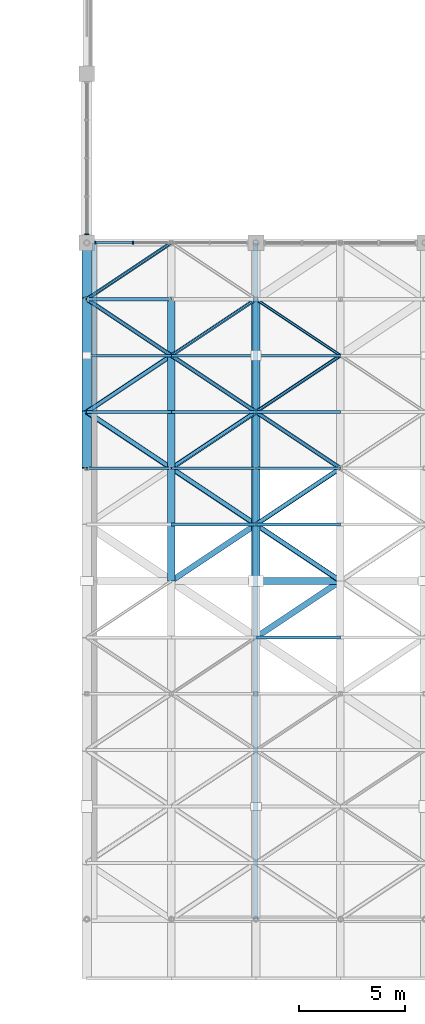
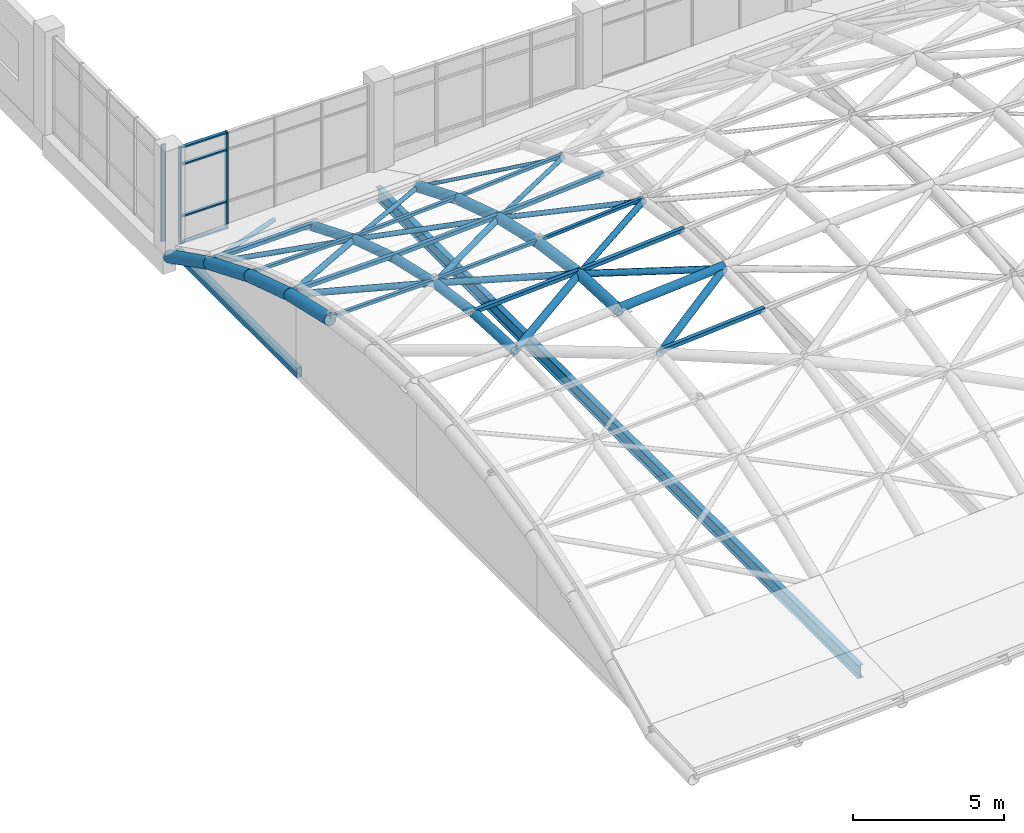
# One storey, part 12 of 72: 36 members, 16 beams, 2 elements without a shape of their own.
"""IFC4 building model written with IfcOpenShell, lengths in metres."""

from ifc_helpers import new_model, si_unit, direction, frame, origin, origin_2d, place, context, subcontext, project, spatial, rectangle, hollow_rectangle, hollow_circle, i_section, extrude, material, material_profile, profile_set, type_object, element, aggregate, save


model = new_model("IFC4")

# Units and contexts
model_context = context("Model", 3, precision=1e-05, world=origin(), true_north=direction((0.0, 1.0)))
body_context = subcontext(model_context, "Body", "Model", "MODEL_VIEW")
ifc_project = project(units=[si_unit("LENGTHUNIT", "METRE"), si_unit("AREAUNIT", "SQUARE_METRE"), si_unit("VOLUMEUNIT", "CUBIC_METRE"), si_unit("PLANEANGLEUNIT", "RADIAN"), si_unit("MASSUNIT", "GRAM", prefix="KILO")], contexts=[model_context])

# Site, building, storey
site_placement = place(None, origin())
site = spatial("IfcSite", under=ifc_project, at=site_placement, CompositionType="ELEMENT")
building_placement = place(site_placement, origin())
building = spatial("IfcBuilding", under=site, at=building_placement, Name="Tenunan Teduh Sports Hall", CompositionType="ELEMENT")
storey_placement = place(building_placement, frame((0.0, 0.0, 15.0)))
storey = spatial("IfcBuildingStorey", under=building, at=storey_placement, Name="L03", CompositionType="ELEMENT", Elevation=15.0)

# Curtain wall, members
ifc_material_1 = material(Name="Anodised aluminium", Category="aluminium")
curtain_wall_type_1 = type_object("IfcCurtainWallType", Name="CW-CLER-1", PredefinedType="NOTDEFINED", material=ifc_material_1)
curtain_wall_1_placement = place(storey_placement, origin())
curtain_wall_1 = element("IfcCurtainWall", 1, at=curtain_wall_1_placement, inside=storey, type_object=curtain_wall_type_1, Name="CW-CWM-150-L03-139", PredefinedType="NOTDEFINED")
ifc_material_2 = material(Name="Anodised aluminium", Category="aluminium")
ifc_material_profile_1 = material_profile(ifc_material_2, rectangle(XDim=0.06005859375, YDim=0.14990234375, at=origin_2d()), Name="CWM 60x150")
ifc_profile_set_1 = profile_set([ifc_material_profile_1], Name="Anodised aluminium")
member_type_1 = type_object("IfcMemberType", Name="CWM-150", PredefinedType="MULLION", material=ifc_profile_set_1)
member_1_placement = place(storey_placement, frame((122.405029296875, 46.0, 0.0), z_axis=(0.0, 0.0, 1.0), x_axis=(1.0, 0.0, 0.0)))
member_1 = element("IfcMember", 2, at=member_1_placement, type_object=member_type_1, Name="CW-03 mullion 1", PredefinedType="MULLION", context=body_context, shape_type="SweptSolid", body=[
    extrude(rectangle(XDim=0.06005859375, YDim=0.14990234375, at=origin_2d()), origin(), (0.0, 0.0, 1.0), 3.919921875),
])
member_2_placement = place(storey_placement, frame((124.1875, 46.0, 0.0), z_axis=(0.0, 0.0, 1.0), x_axis=(1.0, 0.0, 0.0)))
member_2 = element("IfcMember", 3, at=member_2_placement, type_object=member_type_1, Name="CW-03 mullion 2", PredefinedType="MULLION", context=body_context, shape_type="SweptSolid", body=[
    extrude(rectangle(XDim=0.06005859375, YDim=0.14990234375, at=origin_2d()), origin(), (0.0, 0.0, 1.0), 3.919921875),
])

# Curtain wall, member
ifc_material_3 = material(Name="Anodised aluminium", Category="aluminium")
curtain_wall_type_2 = type_object("IfcCurtainWallType", Name="CW-UNIT-2", PredefinedType="NOTDEFINED", material=ifc_material_3)
curtain_wall_2_placement = place(storey_placement, origin())
curtain_wall_2 = element("IfcCurtainWall", 4, at=curtain_wall_2_placement, inside=storey, type_object=curtain_wall_type_2, Name="CW-CWM-175-L03-146", PredefinedType="NOTDEFINED")
ifc_material_4 = material(Name="Anodised aluminium", Category="aluminium")
ifc_material_profile_2 = material_profile(ifc_material_4, rectangle(XDim=0.06494140625, YDim=0.175048828125, at=origin_2d()), Name="CWM 65x175")
ifc_profile_set_2 = profile_set([ifc_material_profile_2], Name="Anodised aluminium")
member_type_2 = type_object("IfcMemberType", Name="CWM-175", PredefinedType="MULLION", material=ifc_profile_set_2)
member_3_placement = place(storey_placement, frame((122.0, 46.407470703125, 0.0), z_axis=(0.0, 0.0, 1.0), x_axis=(0.0, 1.0, 0.0)))
member_3 = element("IfcMember", 5, at=member_3_placement, type_object=member_type_2, Name="CW-02 mullion 1", PredefinedType="MULLION", context=body_context, shape_type="SweptSolid", body=[
    extrude(rectangle(XDim=0.06494140625, YDim=0.175048828125, at=origin_2d()), origin(), (0.0, 0.0, 1.0), 3.919921875),
])
aggregate(curtain_wall_2, [member_3])

# Member
ifc_material_5 = material(Name="Anodised aluminium", Category="aluminium")
ifc_material_profile_3 = material_profile(ifc_material_5, rectangle(XDim=0.06005859375, YDim=0.1201171875, at=origin_2d()), Name="CWT 60x120")
ifc_profile_set_3 = profile_set([ifc_material_profile_3], Name="Anodised aluminium")
member_type_3 = type_object("IfcMemberType", Name="CWT-125", PredefinedType="USERDEFINED", material=ifc_profile_set_3)
member_4_placement = place(storey_placement, frame((122.43505859375, 46.0, 0.030029296875), z_axis=(1.0, 0.0, 0.0), x_axis=(0.0, 0.0, 1.0)))
member_4 = element("IfcMember", 6, at=member_4_placement, type_object=member_type_3, Name="CW-03 transom 1.1", ObjectType="TRANSOM", PredefinedType="USERDEFINED", context=body_context, shape_type="SweptSolid", body=[
    extrude(rectangle(XDim=0.06005859375, YDim=0.1201171875, at=origin_2d()), origin(), (0.0, 0.0, 1.0), 1.722412109375),
])

member_5_placement = place(storey_placement, frame((122.43505859375, 46.0, 1.10009765625), z_axis=(1.0, 0.0, 0.0), x_axis=(0.0, 0.0, 1.0)))
member_5 = element("IfcMember", 7, at=member_5_placement, type_object=member_type_3, Name="CW-03 transom 1.2", ObjectType="TRANSOM", PredefinedType="USERDEFINED", context=body_context, shape_type="SweptSolid", body=[
    extrude(rectangle(XDim=0.06005859375, YDim=0.1201171875, at=origin_2d()), origin(), (0.0, 0.0, 1.0), 1.722412109375),
])

member_6_placement = place(storey_placement, frame((122.43505859375, 46.0, 3.199951171875), z_axis=(1.0, 0.0, 0.0), x_axis=(0.0, 0.0, 1.0)))
member_6 = element("IfcMember", 8, at=member_6_placement, type_object=member_type_3, Name="CW-03 transom 1.3", ObjectType="TRANSOM", PredefinedType="USERDEFINED", context=body_context, shape_type="SweptSolid", body=[
    extrude(rectangle(XDim=0.06005859375, YDim=0.1201171875, at=origin_2d()), origin(), (0.0, 0.0, 1.0), 1.722412109375),
])

member_7_placement = place(storey_placement, frame((122.43505859375, 46.0, 3.889892578125), z_axis=(1.0, 0.0, 0.0), x_axis=(0.0, 0.0, 1.0)))
member_7 = element("IfcMember", 9, at=member_7_placement, type_object=member_type_3, Name="CW-03 transom 1.4", ObjectType="TRANSOM", PredefinedType="USERDEFINED", context=body_context, shape_type="SweptSolid", body=[
    extrude(rectangle(XDim=0.06005859375, YDim=0.1201171875, at=origin_2d()), origin(), (0.0, 0.0, 1.0), 1.722412109375),
])

aggregate(curtain_wall_1, [member_1, member_2, member_4, member_5, member_6, member_7])

# Beams
ifc_material_6 = material(Name="Steel S355", Category="steel")
ifc_material_profile_4 = material_profile(ifc_material_6, hollow_circle(Radius=0.177734375, WallThickness=0.012451171875, at=origin_2d()), Name="CHS 355.6x12.5")
ifc_profile_set_4 = profile_set([ifc_material_profile_4], Name="Steel S355")
beam_type_1 = type_object("IfcBeamType", Name="GSB-CHS356", PredefinedType="BEAM", material=ifc_profile_set_4)
beam_1_placement = place(storey_placement, frame((126.0, 30.0, 4.1005859375), z_axis=(0.0, 0.998970613421, -0.045362027305), x_axis=(-1.0, 0.0, 0.0)))
element("IfcBeam", 10, at=beam_1_placement, inside=storey, type_object=beam_type_1, Name="Gridshell Vault Arch BM-GR-04-L03-0089", PredefinedType="BEAM", context=body_context, shape_type="SweptSolid", body=[
    extrude(hollow_circle(Radius=0.177734375, WallThickness=0.012451171875, at=origin_2d()), origin(), (0.0, 0.0, 1.0), 2.66943359375),
])
beam_2_placement = place(storey_placement, frame((126.0, 32.666748046875, 3.9794921875), z_axis=(0.0, 0.99065158568, -0.136416405866), x_axis=(-1.0, 0.0, 0.0)))
element("IfcBeam", 11, at=beam_2_placement, inside=storey, type_object=beam_type_1, Name="Gridshell Vault Arch BM-GR-04-L03-0090", PredefinedType="BEAM", context=body_context, shape_type="SweptSolid", body=[
    extrude(hollow_circle(Radius=0.177734375, WallThickness=0.012451171875, at=origin_2d()), origin(), (0.0, 0.0, 1.0), 2.691650390625),
])
beam_3_placement = place(storey_placement, frame((126.0, 35.333251953125, 3.6123046875), z_axis=(0.0, 0.974871798782, -0.222766640095), x_axis=(-1.0, 0.0, 0.0)))
element("IfcBeam", 12, at=beam_3_placement, inside=storey, type_object=beam_type_1, Name="Gridshell Vault Arch BM-GR-04-L03-0091", PredefinedType="BEAM", context=body_context, shape_type="SweptSolid", body=[
    extrude(hollow_circle(Radius=0.177734375, WallThickness=0.012451171875, at=origin_2d()), origin(), (0.0, 0.0, 1.0), 2.735595703125),
])
beam_4_placement = place(storey_placement, frame((126.0, 38.0, 3.0029296875), z_axis=(0.0, 0.952205270427, -0.305458872798), x_axis=(-1.0, 0.0, 0.0)))
element("IfcBeam", 13, at=beam_4_placement, inside=storey, type_object=beam_type_1, Name="Gridshell Vault Arch BM-GR-04-L03-0092", PredefinedType="BEAM", context=body_context, shape_type="SweptSolid", body=[
    extrude(hollow_circle(Radius=0.177734375, WallThickness=0.012451171875, at=origin_2d()), origin(), (0.0, 0.0, 1.0), 2.800537109375),
])
beam_5_placement = place(storey_placement, frame((126.0, 40.666748046875, 2.1474609375), z_axis=(0.0, 0.924239355634, -0.381813584748), x_axis=(-1.0, 0.0, 0.0)))
element("IfcBeam", 14, at=beam_5_placement, inside=storey, type_object=beam_type_1, Name="Gridshell Vault Arch BM-GR-04-L03-0093", PredefinedType="BEAM", context=body_context, shape_type="SweptSolid", body=[
    extrude(hollow_circle(Radius=0.177734375, WallThickness=0.012451171875, at=origin_2d()), origin(), (0.0, 0.0, 1.0), 2.885009765625),
])
ifc_material_7 = material(Name="Steel S355", Category="steel")
ifc_material_profile_5 = material_profile(ifc_material_7, hollow_circle(Radius=0.203125, WallThickness=0.01611328125, at=origin_2d()), Name="CHS 406.4x16.0")
ifc_profile_set_5 = profile_set([ifc_material_profile_5], Name="Steel S355")
beam_type_2 = type_object("IfcBeamType", Name="GSB-CHS406", PredefinedType="BEAM", material=ifc_profile_set_5)
beam_6_placement = place(storey_placement, frame((130.0, 30.0, 4.3193359375), z_axis=(0.0, 0.998970613421, -0.045362027305), x_axis=(-1.0, 0.0, 0.0)))
element("IfcBeam", 15, at=beam_6_placement, inside=storey, type_object=beam_type_2, Name="Gridshell Vault Arch BM-GA-02-L03-0102", PredefinedType="BEAM", context=body_context, shape_type="SweptSolid", body=[
    extrude(hollow_circle(Radius=0.203125, WallThickness=0.01611328125, at=origin_2d()), origin(), (0.0, 0.0, 1.0), 2.66943359375),
])
beam_7_placement = place(storey_placement, frame((130.0, 32.666748046875, 4.1982421875), z_axis=(0.0, 0.99065158568, -0.136416405866), x_axis=(-1.0, 0.0, 0.0)))
element("IfcBeam", 16, at=beam_7_placement, inside=storey, type_object=beam_type_2, Name="Gridshell Vault Arch BM-GA-02-L03-0103", PredefinedType="BEAM", context=body_context, shape_type="SweptSolid", body=[
    extrude(hollow_circle(Radius=0.203125, WallThickness=0.01611328125, at=origin_2d()), origin(), (0.0, 0.0, 1.0), 2.691650390625),
])
beam_8_placement = place(storey_placement, frame((130.0, 35.333251953125, 3.8310546875), z_axis=(0.0, 0.974871798782, -0.222766640095), x_axis=(-1.0, 0.0, 0.0)))
element("IfcBeam", 17, at=beam_8_placement, inside=storey, type_object=beam_type_2, Name="Gridshell Vault Arch BM-GA-02-L03-0104", PredefinedType="BEAM", context=body_context, shape_type="SweptSolid", body=[
    extrude(hollow_circle(Radius=0.203125, WallThickness=0.01611328125, at=origin_2d()), origin(), (0.0, 0.0, 1.0), 2.735595703125),
])
beam_9_placement = place(storey_placement, frame((130.0, 38.0, 3.2216796875), z_axis=(0.0, 0.952205270427, -0.305458872798), x_axis=(-1.0, 0.0, 0.0)))
element("IfcBeam", 18, at=beam_9_placement, inside=storey, type_object=beam_type_2, Name="Gridshell Vault Arch BM-GA-02-L03-0105", PredefinedType="BEAM", context=body_context, shape_type="SweptSolid", body=[
    extrude(hollow_circle(Radius=0.203125, WallThickness=0.01611328125, at=origin_2d()), origin(), (0.0, 0.0, 1.0), 2.800537109375),
])
beam_10_placement = place(storey_placement, frame((130.0, 40.666748046875, 2.3662109375), z_axis=(0.0, 0.924239355634, -0.381813584748), x_axis=(-1.0, 0.0, 0.0)))
element("IfcBeam", 19, at=beam_10_placement, inside=storey, type_object=beam_type_2, Name="Gridshell Vault Arch BM-GA-02-L03-0106", PredefinedType="BEAM", context=body_context, shape_type="SweptSolid", body=[
    extrude(hollow_circle(Radius=0.203125, WallThickness=0.01611328125, at=origin_2d()), origin(), (0.0, 0.0, 1.0), 2.885009765625),
])
ifc_material_8 = material(Name="Steel S355", Category="steel")
ifc_material_profile_6 = material_profile(ifc_material_8, hollow_circle(Radius=0.228515625, WallThickness=0.01611328125, at=origin_2d()), Name="CHS 457.0x16.0")
ifc_profile_set_6 = profile_set([ifc_material_profile_6], Name="Steel S355")
beam_type_3 = type_object("IfcBeamType", Name="GSB-CHS457", PredefinedType="BEAM", material=ifc_profile_set_6)
beam_11_placement = place(storey_placement, frame((122.0, 35.333251953125, 3.5302734375), z_axis=(0.0, 0.974871798782, -0.222766640095), x_axis=(-1.0, 0.0, 0.0)))
element("IfcBeam", 20, at=beam_11_placement, inside=storey, type_object=beam_type_3, Name="Gridshell Vault Arch BM-GA-01-L03-0078", PredefinedType="BEAM", context=body_context, shape_type="SweptSolid", body=[
    extrude(hollow_circle(Radius=0.228515625, WallThickness=0.01611328125, at=origin_2d()), origin(), (0.0, 0.0, 1.0), 2.735595703125),
])
beam_12_placement = place(storey_placement, frame((122.0, 38.0, 2.9208984375), z_axis=(0.0, 0.952205270427, -0.305458872798), x_axis=(-1.0, 0.0, 0.0)))
element("IfcBeam", 21, at=beam_12_placement, inside=storey, type_object=beam_type_3, Name="Gridshell Vault Arch BM-GA-01-L03-0079", PredefinedType="BEAM", context=body_context, shape_type="SweptSolid", body=[
    extrude(hollow_circle(Radius=0.228515625, WallThickness=0.01611328125, at=origin_2d()), origin(), (0.0, 0.0, 1.0), 2.800537109375),
])
beam_13_placement = place(storey_placement, frame((122.0, 40.666748046875, 2.0654296875), z_axis=(0.0, 0.924239355634, -0.381813584748), x_axis=(-1.0, 0.0, 0.0)))
element("IfcBeam", 22, at=beam_13_placement, inside=storey, type_object=beam_type_3, Name="Gridshell Vault Arch BM-GA-01-L03-0080", PredefinedType="BEAM", context=body_context, shape_type="SweptSolid", body=[
    extrude(hollow_circle(Radius=0.228515625, WallThickness=0.01611328125, at=origin_2d()), origin(), (0.0, 0.0, 1.0), 2.885009765625),
])
beam_14_placement = place(storey_placement, frame((122.0, 43.333251953125, 0.9638671875), z_axis=(0.0, 0.893033000477, -0.449991177756), x_axis=(-1.0, 0.0, 0.0)))
element("IfcBeam", 23, at=beam_14_placement, inside=storey, type_object=beam_type_3, Name="Gridshell Vault Arch BM-GA-01-L03-0081", PredefinedType="BEAM", context=body_context, shape_type="SweptSolid", body=[
    extrude(hollow_circle(Radius=0.228515625, WallThickness=0.01611328125, at=origin_2d()), origin(), (0.0, 0.0, 1.0), 2.986083984375),
])

# Members
ifc_material_9 = material(Name="Steel S355", Category="steel")
ifc_material_profile_7 = material_profile(ifc_material_9, hollow_circle(Radius=0.06982421875, WallThickness=0.00634765625, at=origin_2d()), Name="CHS 139.7x6.3")
ifc_profile_set_7 = profile_set([ifc_material_profile_7], Name="Steel S355")
member_type_4 = type_object("IfcMemberType", Name="MEM-BR-CHS140", PredefinedType="BRACE", material=ifc_profile_set_7)
member_8_placement = place(storey_placement, frame((130.0, 43.333251953125, 1.2646484375), z_axis=(0.798773847537, -0.532483396167, 0.280038878189), x_axis=(0.554676756648, 0.832065920246, 0.0)))
element("IfcMember", 24, at=member_8_placement, inside=storey, type_object=member_type_4, Name="MEM-GD-05-L03-0170", PredefinedType="BRACE", context=body_context, shape_type="SweptSolid", body=[
    extrude(hollow_circle(Radius=0.06982421875, WallThickness=0.00634765625, at=origin_2d()), origin(), (0.0, 0.0, 1.0), 5.007568359375),
])
ifc_material_10 = material(Name="Steel S355", Category="steel")
ifc_material_profile_8 = material_profile(ifc_material_10, hollow_circle(Radius=0.084228515625, WallThickness=0.008056640625, at=origin_2d()), Name="CHS 168.3x8.0")
ifc_profile_set_8 = profile_set([ifc_material_profile_8], Name="Steel S355")
member_type_5 = type_object("IfcMemberType", Name="MEM-BR-CHS168", PredefinedType="BRACE", material=ifc_profile_set_8)
member_9_placement = place(storey_placement, frame((122.0, 43.333251953125, 0.9638671875), z_axis=(0.804786955683, 0.536541010555, -0.253853697935), x_axis=(-0.554711915519, 0.832042481356, 0.0)))
element("IfcMember", 25, at=member_9_placement, inside=storey, type_object=member_type_5, Name="MEM-GD-04-L03-0119", PredefinedType="BRACE", context=body_context, shape_type="SweptSolid", body=[
    extrude(hollow_circle(Radius=0.084228515625, WallThickness=0.008056640625, at=origin_2d()), origin(), (0.0, 0.0, 1.0), 4.97021484375),
])
member_10_placement = place(storey_placement, frame((126.0, 40.666748046875, 2.1474609375), z_axis=(0.818381009906, 0.545554039928, -0.180619246327), x_axis=(-0.554676756648, 0.832065920246, 0.0)))
element("IfcMember", 26, at=member_10_placement, inside=storey, type_object=member_type_5, Name="MEM-GD-04-L03-0144", PredefinedType="BRACE", context=body_context, shape_type="SweptSolid", body=[
    extrude(hollow_circle(Radius=0.084228515625, WallThickness=0.008056640625, at=origin_2d()), origin(), (0.0, 0.0, 1.0), 4.8876953125),
])
member_11_placement = place(storey_placement, frame((130.0, 38.0, 3.2216796875), z_axis=(0.826558786537, 0.551056007406, -0.114620456727), x_axis=(-0.554711915519, 0.832042481356, 0.0)))
element("IfcMember", 27, at=member_11_placement, inside=storey, type_object=member_type_5, Name="MEM-GD-04-L03-0169", PredefinedType="BRACE", context=body_context, shape_type="SweptSolid", body=[
    extrude(hollow_circle(Radius=0.084228515625, WallThickness=0.008056640625, at=origin_2d()), origin(), (0.0, 0.0, 1.0), 4.83935546875),
])
ifc_material_11 = material(Name="Steel S355", Category="steel")
ifc_material_profile_9 = material_profile(ifc_material_11, hollow_circle(Radius=0.096923828125, WallThickness=0.008056640625, at=origin_2d()), Name="CHS 193.7x8.0")
ifc_profile_set_9 = profile_set([ifc_material_profile_9], Name="Steel S355")
member_type_6 = type_object("IfcMemberType", Name="MEM-BR-CHS194", PredefinedType="BRACE", material=ifc_profile_set_9)
member_12_placement = place(storey_placement, frame((122.0, 43.333251953125, 0.9638671875), z_axis=(0.807938419572, -0.538592737949, 0.239067715947), x_axis=(0.554676756648, 0.832065920246, 0.0)))
element("IfcMember", 28, at=member_12_placement, inside=storey, type_object=member_type_6, Name="MEM-GD-03-L03-0118", PredefinedType="BRACE", context=body_context, shape_type="SweptSolid", body=[
    extrude(hollow_circle(Radius=0.096923828125, WallThickness=0.008056640625, at=origin_2d()), origin(), (0.0, 0.0, 1.0), 4.950927734375),
])
member_13_placement = place(storey_placement, frame((126.0, 40.666748046875, 2.1474609375), z_axis=(0.81201761227, -0.541361595387, 0.218071136108), x_axis=(0.554711915519, 0.832042481356, 0.0)))
element("IfcMember", 29, at=member_13_placement, inside=storey, type_object=member_type_6, Name="MEM-GD-03-L03-0143", PredefinedType="BRACE", context=body_context, shape_type="SweptSolid", body=[
    extrude(hollow_circle(Radius=0.096923828125, WallThickness=0.008056640625, at=origin_2d()), origin(), (0.0, 0.0, 1.0), 4.926025390625),
])
member_14_placement = place(storey_placement, frame((130.0, 38.0, 3.2216796875), z_axis=(0.817520322289, -0.545030180686, 0.186017807708), x_axis=(0.554711915519, 0.832042481356, 0.0)))
element("IfcMember", 30, at=member_14_placement, inside=storey, type_object=member_type_6, Name="MEM-GD-03-L03-0168", PredefinedType="BRACE", context=body_context, shape_type="SweptSolid", body=[
    extrude(hollow_circle(Radius=0.096923828125, WallThickness=0.008056640625, at=origin_2d()), origin(), (0.0, 0.0, 1.0), 4.892822265625),
])
ifc_material_12 = material(Name="Steel S355", Category="steel")
ifc_material_profile_10 = material_profile(ifc_material_12, hollow_circle(Radius=0.109619140625, WallThickness=0.010009765625, at=origin_2d()), Name="CHS 219.1x10.0")
ifc_profile_set_10 = profile_set([ifc_material_profile_10], Name="Steel S355")
member_type_7 = type_object("IfcMemberType", Name="MEM-BR-CHS219", PredefinedType="BRACE", material=ifc_profile_set_10)
member_15_placement = place(storey_placement, frame((122.0, 38.0, 2.9208984375), z_axis=(0.821479059934, 0.547669419657, -0.158840677604), x_axis=(-0.554711915519, 0.832042481356, 0.0)))
element("IfcMember", 31, at=member_15_placement, inside=storey, type_object=member_type_7, Name="MEM-GD-02-L03-0117", PredefinedType="BRACE", context=body_context, shape_type="SweptSolid", body=[
    extrude(hollow_circle(Radius=0.109619140625, WallThickness=0.010009765625, at=origin_2d()), origin(), (0.0, 0.0, 1.0), 4.869384765625),
])
member_16_placement = place(storey_placement, frame((126.0, 35.333251953125, 3.6123046875), z_axis=(0.829309336898, 0.552889763607, -0.080987239931), x_axis=(-0.554711915519, 0.832042481356, 0.0)))
element("IfcMember", 32, at=member_16_placement, inside=storey, type_object=member_type_7, Name="MEM-GD-02-L03-0142", PredefinedType="BRACE", context=body_context, shape_type="SweptSolid", body=[
    extrude(hollow_circle(Radius=0.109619140625, WallThickness=0.010009765625, at=origin_2d()), origin(), (0.0, 0.0, 1.0), 4.8232421875),
])
member_17_placement = place(storey_placement, frame((130.0, 32.666748046875, 4.1982421875), z_axis=(0.831986546113, 0.55462384379, -0.013812276644), x_axis=(-0.554676756648, 0.832065920246, 0.0)))
element("IfcMember", 33, at=member_17_placement, inside=storey, type_object=member_type_7, Name="MEM-GD-02-L03-0167", PredefinedType="BRACE", context=body_context, shape_type="SweptSolid", body=[
    extrude(hollow_circle(Radius=0.109619140625, WallThickness=0.010009765625, at=origin_2d()), origin(), (0.0, 0.0, 1.0), 4.807861328125),
])
ifc_material_13 = material(Name="Steel S355", Category="steel")
ifc_material_profile_11 = material_profile(ifc_material_13, hollow_circle(Radius=0.122314453125, WallThickness=0.010009765625, at=origin_2d()), Name="CHS 244.5x10.0")
ifc_profile_set_11 = profile_set([ifc_material_profile_11], Name="Steel S355")
member_type_8 = type_object("IfcMemberType", Name="MEM-BR-CHS245", PredefinedType="BRACE", material=ifc_profile_set_11)
member_18_placement = place(storey_placement, frame((122.0, 38.0, 2.9208984375), z_axis=(0.823568667697, -0.549062534012, 0.142355131037), x_axis=(0.554711915519, 0.832042481356, 0.0)))
element("IfcMember", 34, at=member_18_placement, inside=storey, type_object=member_type_8, Name="MEM-GD-01-L03-0116", PredefinedType="BRACE", context=body_context, shape_type="SweptSolid", body=[
    extrude(hollow_circle(Radius=0.122314453125, WallThickness=0.010009765625, at=origin_2d()), origin(), (0.0, 0.0, 1.0), 4.85693359375),
])
member_19_placement = place(storey_placement, frame((126.0, 35.333251953125, 3.6123046875), z_axis=(0.825953410204, -0.550601998672, 0.120989269073), x_axis=(0.554676756648, 0.832065920246, 0.0)))
element("IfcMember", 35, at=member_19_placement, inside=storey, type_object=member_type_8, Name="MEM-GD-01-L03-0141", PredefinedType="BRACE", context=body_context, shape_type="SweptSolid", body=[
    extrude(hollow_circle(Radius=0.122314453125, WallThickness=0.010009765625, at=origin_2d()), origin(), (0.0, 0.0, 1.0), 4.8427734375),
])
member_20_placement = place(storey_placement, frame((130.0, 32.666748046875, 4.1982421875), z_axis=(0.828857150222, -0.552588296623, 0.087418527562), x_axis=(0.554711915519, 0.832042481356, 0.0)))
element("IfcMember", 36, at=member_20_placement, inside=storey, type_object=member_type_8, Name="MEM-GD-01-L03-0166", PredefinedType="BRACE", context=body_context, shape_type="SweptSolid", body=[
    extrude(hollow_circle(Radius=0.122314453125, WallThickness=0.010009765625, at=origin_2d()), origin(), (0.0, 0.0, 1.0), 4.825927734375),
])
ifc_material_14 = material(Name="Steel S355", Category="steel")
ifc_material_profile_12 = material_profile(ifc_material_14, hollow_circle(Radius=0.136474609375, WallThickness=0.010009765625, at=origin_2d()), Name="CHS 273.0x10.0")
ifc_profile_set_12 = profile_set([ifc_material_profile_12], Name="Steel S355")
member_type_9 = type_object("IfcMemberType", Name="MEM-CH-CHS273", PredefinedType="CHORD", material=ifc_profile_set_12)
member_21_placement = place(storey_placement, frame((126.0, 30.0, 4.1005859375), z_axis=(0.831870867548, 0.554597502821, 0.020309347352), x_axis=(-0.554711915519, 0.832042481356, 0.0)))
element("IfcMember", 37, at=member_21_placement, inside=storey, type_object=member_type_9, Name="MEM-GC-03-L03-0140", PredefinedType="CHORD", context=body_context, shape_type="SweptSolid", body=[
    extrude(hollow_circle(Radius=0.136474609375, WallThickness=0.010009765625, at=origin_2d()), origin(), (0.0, 0.0, 1.0), 4.808349609375),
])
member_22_placement = place(storey_placement, frame((130.0, 27.333251953125, 4.1982421875), z_axis=(0.828857150222, 0.552588296623, 0.087418527562), x_axis=(-0.554711915519, 0.832042481356, 0.0)))
element("IfcMember", 38, at=member_22_placement, inside=storey, type_object=member_type_9, Name="MEM-GC-03-L03-0165", PredefinedType="CHORD", context=body_context, shape_type="SweptSolid", body=[
    extrude(hollow_circle(Radius=0.136474609375, WallThickness=0.010009765625, at=origin_2d()), origin(), (0.0, 0.0, 1.0), 4.825927734375),
])
ifc_material_15 = material(Name="Steel S355", Category="steel")
ifc_material_profile_13 = material_profile(ifc_material_15, hollow_circle(Radius=0.161865234375, WallThickness=0.012451171875, at=origin_2d()), Name="CHS 323.9x12.5")
ifc_profile_set_13 = profile_set([ifc_material_profile_13], Name="Steel S355")
member_type_10 = type_object("IfcMemberType", Name="MEM-CH-CHS324", PredefinedType="CHORD", material=ifc_profile_set_13)
member_23_placement = place(storey_placement, frame((130.0, 30.0, 4.439208984375), z_axis=(0.997184765588, 0.0, 0.074983620069), x_axis=(0.0, 1.0, 0.0)))
element("IfcMember", 39, at=member_23_placement, inside=storey, type_object=member_type_10, Name="MEM-GC-02-L03-0153", PredefinedType="CHORD", context=body_context, shape_type="SweptSolid", body=[
    extrude(hollow_circle(Radius=0.161865234375, WallThickness=0.012451171875, at=origin_2d()), origin(), (0.0, 0.0, 1.0), 4.01123046875),
])
ifc_material_16 = material(Name="Steel S355", Category="steel")
ifc_material_profile_14 = material_profile(ifc_material_16, hollow_rectangle(XDim=0.1201171875, YDim=0.1201171875, WallThickness=0.00634765625, at=origin_2d()), Name="SHS 120x120x6.3")
ifc_profile_set_14 = profile_set([ifc_material_profile_14], Name="Steel S355")
member_type_11 = type_object("IfcMemberType", Name="MEM-PR-SHS120", PredefinedType="PURLIN", material=ifc_profile_set_14)
for number, where, z_axis, x_axis, name in (
    (40, (122.0, 35.333251953125, 3.650146484375), (0.99978978112, 0.0, 0.020503501371), (0.0, 1.0, 0.0), "MEM-PR-02-L03-0104"),
    (41, (122.0, 40.666748046875, 2.185302734375), (0.99978978112, 0.0, 0.020503501371), (0.0, 1.0, 0.0), "MEM-PR-02-L03-0106"),
):
    element("IfcMember", number, at=place(storey_placement, frame(where, z_axis=z_axis, x_axis=x_axis)), inside=storey, type_object=member_type_11, Name=name, PredefinedType="PURLIN", context=body_context, shape_type="SweptSolid", body=[
        extrude(hollow_rectangle(XDim=0.1201171875, YDim=0.1201171875, WallThickness=0.00634765625, at=origin_2d()), origin(), (0.0, 0.0, 1.0), 4.000732421875),
    ])
for number, where, z_axis, x_axis, name in (
    (42, (126.0, 35.333251953125, 3.732177734375), (0.998507984492, 0.0, 0.054605905402), (0.0, 1.0, 0.0), "MEM-PR-02-L03-0129"),
    (43, (126.0, 40.666748046875, 2.267333984375), (0.998507984492, 0.0, 0.054605905402), (0.0, 1.0, 0.0), "MEM-PR-02-L03-0131"),
):
    element("IfcMember", number, at=place(storey_placement, frame(where, z_axis=z_axis, x_axis=x_axis)), inside=storey, type_object=member_type_11, Name=name, PredefinedType="PURLIN", context=body_context, shape_type="SweptSolid", body=[
        extrude(hollow_rectangle(XDim=0.1201171875, YDim=0.1201171875, WallThickness=0.00634765625, at=origin_2d()), origin(), (0.0, 0.0, 1.0), 4.005859375),
    ])
for number, where, z_axis, x_axis, name in (
    (44, (130.0, 35.333251953125, 3.950927734375), (0.997184765588, 0.0, 0.074983620069), (0.0, 1.0, 0.0), "MEM-PR-02-L03-0155"),
    (45, (130.0, 40.666748046875, 2.486083984375), (0.997184765588, 0.0, 0.074983620069), (0.0, 1.0, 0.0), "MEM-PR-02-L03-0157"),
):
    element("IfcMember", number, at=place(storey_placement, frame(where, z_axis=z_axis, x_axis=x_axis)), inside=storey, type_object=member_type_11, Name=name, PredefinedType="PURLIN", context=body_context, shape_type="SweptSolid", body=[
        extrude(hollow_rectangle(XDim=0.1201171875, YDim=0.1201171875, WallThickness=0.00634765625, at=origin_2d()), origin(), (0.0, 0.0, 1.0), 4.01123046875),
    ])
ifc_material_17 = material(Name="Steel S355", Category="steel")
ifc_material_profile_15 = material_profile(ifc_material_17, hollow_rectangle(XDim=0.14990234375, YDim=0.14990234375, WallThickness=0.008056640625, at=origin_2d()), Name="SHS 150x150x8.0")
ifc_profile_set_15 = profile_set([ifc_material_profile_15], Name="Steel S355")
member_type_12 = type_object("IfcMemberType", Name="MEM-PR-SHS150", PredefinedType="PURLIN", material=ifc_profile_set_15)
for number, where, z_axis, x_axis, name in (
    (46, (122.0, 38.0, 3.040771484375), (0.99978978112, 0.0, 0.020503501371), (0.0, 1.0, 0.0), "MEM-PR-01-L03-0105"),
    (47, (122.0, 43.333251953125, 1.083740234375), (0.99978978112, 0.0, 0.020503501371), (0.0, 1.0, 0.0), "MEM-PR-01-L03-0107"),
):
    element("IfcMember", number, at=place(storey_placement, frame(where, z_axis=z_axis, x_axis=x_axis)), inside=storey, type_object=member_type_12, Name=name, PredefinedType="PURLIN", context=body_context, shape_type="SweptSolid", body=[
        extrude(hollow_rectangle(XDim=0.14990234375, YDim=0.14990234375, WallThickness=0.008056640625, at=origin_2d()), origin(), (0.0, 0.0, 1.0), 4.000732421875),
    ])
for number, where, z_axis, x_axis, name in (
    (48, (126.0, 32.666748046875, 4.099365234375), (0.998507984492, 0.0, 0.054605905402), (0.0, 1.0, 0.0), "MEM-PR-01-L03-0128"),
    (49, (126.0, 38.0, 3.122802734375), (0.998507984492, 0.0, 0.054605905402), (0.0, 1.0, 0.0), "MEM-PR-01-L03-0130"),
):
    element("IfcMember", number, at=place(storey_placement, frame(where, z_axis=z_axis, x_axis=x_axis)), inside=storey, type_object=member_type_12, Name=name, PredefinedType="PURLIN", context=body_context, shape_type="SweptSolid", body=[
        extrude(hollow_rectangle(XDim=0.14990234375, YDim=0.14990234375, WallThickness=0.008056640625, at=origin_2d()), origin(), (0.0, 0.0, 1.0), 4.005859375),
    ])
for number, where, z_axis, x_axis, name in (
    (50, (130.0, 27.333251953125, 4.318115234375), (0.997184765588, 0.0, 0.074983620069), (0.0, 1.0, 0.0), "MEM-PR-01-L03-0152"),
    (51, (130.0, 32.666748046875, 4.318115234375), (0.997184765588, 0.0, 0.074983620069), (0.0, 1.0, 0.0), "MEM-PR-01-L03-0154"),
    (52, (130.0, 38.0, 3.341552734375), (0.997184765588, 0.0, 0.074983620069), (0.0, 1.0, 0.0), "MEM-PR-01-L03-0156"),
):
    element("IfcMember", number, at=place(storey_placement, frame(where, z_axis=z_axis, x_axis=x_axis)), inside=storey, type_object=member_type_12, Name=name, PredefinedType="PURLIN", context=body_context, shape_type="SweptSolid", body=[
        extrude(hollow_rectangle(XDim=0.14990234375, YDim=0.14990234375, WallThickness=0.008056640625, at=origin_2d()), origin(), (0.0, 0.0, 1.0), 4.01123046875),
    ])

# Beams
ifc_material_18 = material(Name="Steel S355", Category="steel")
ifc_material_profile_16 = material_profile(ifc_material_18, hollow_rectangle(XDim=0.199951171875, YDim=0.39990234375, WallThickness=0.012451171875, at=origin_2d()), Name="RHS 400x200x12.5")
ifc_profile_set_16 = profile_set([ifc_material_profile_16], Name="Steel S355")
beam_type_4 = type_object("IfcBeamType", Name="RBM-RHS400", PredefinedType="SPANDREL", material=ifc_profile_set_16)
beam_15_placement = place(storey_placement, frame((122.353515625, 38.0, -0.360107421875), z_axis=(0.0, 1.0, 0.0), x_axis=(-1.0, 0.0, 0.0)))
element("IfcBeam", 53, at=beam_15_placement, inside=storey, type_object=beam_type_4, Name="Perimeter Ring Beam BM-RB-02-L03-0062", PredefinedType="SPANDREL", context=body_context, shape_type="SweptSolid", body=[
    extrude(hollow_rectangle(XDim=0.199951171875, YDim=0.39990234375, WallThickness=0.012451171875, at=origin_2d()), origin(), (0.0, 0.0, 1.0), 8.0),
])
ifc_material_19 = material(Name="Steel S355", Category="steel")
ifc_material_profile_17 = material_profile(ifc_material_19, i_section(OverallWidth=0.2099609375, OverallDepth=0.53662109375, WebThickness=0.0107421875, FlangeThickness=0.017333984375, FilletRadius=0.0126953125, at=origin_2d()), Name="UKB 533x210x101")
ifc_profile_set_17 = profile_set([ifc_material_profile_17], Name="Steel S355")
beam_type_5 = type_object("IfcBeamType", Name="SBM-UKB533", PredefinedType="BEAM", material=ifc_profile_set_17)
beam_16_placement = place(storey_placement, frame((130.0, 14.0, -0.58837890625), z_axis=(0.0, 1.0, 0.0), x_axis=(-1.0, 0.0, 0.0)))
element("IfcBeam", 54, at=beam_16_placement, inside=storey, type_object=beam_type_5, Name="BM-SB-05-L03-0064", PredefinedType="BEAM", context=body_context, shape_type="SweptSolid", body=[
    extrude(i_section(OverallWidth=0.2099609375, OverallDepth=0.53662109375, WebThickness=0.0107421875, FlangeThickness=0.017333984375, FilletRadius=0.0126953125, at=origin_2d()), origin(), (0.0, 0.0, 1.0), 32.0),
])

save(model, "model.ifc")
